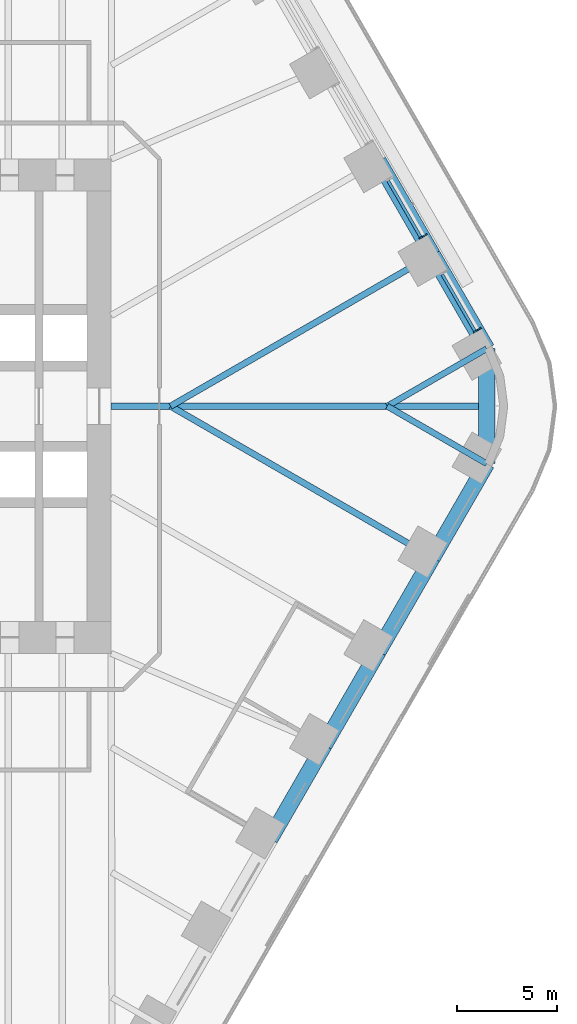
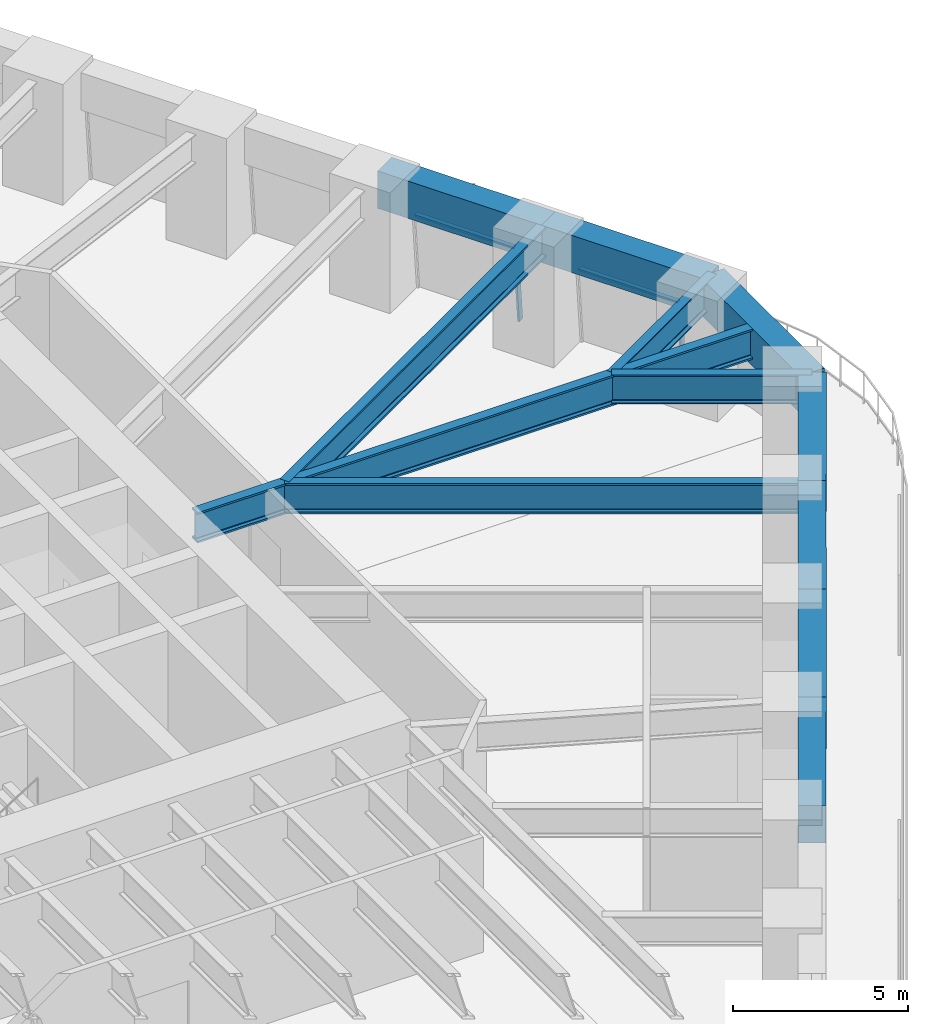
# One storey, part 12 of 23: 12 beams, 4 members, 2 elements without a shape of their own.
"""IFC4 building model written with IfcOpenShell, lengths in metres."""

from ifc_helpers import new_model, si_unit, direction, frame, origin, origin_2d, place, context, subcontext, project, spatial, rectangle, i_section, extrude, material, material_profile, profile_set, type_object, element, aggregate, save


model = new_model("IFC4")

# Units and contexts
model_context = context("Model", 3, precision=1e-05, world=origin(), true_north=direction((0.0, 1.0)))
body_context = subcontext(model_context, "Body", "Model", "MODEL_VIEW")
ifc_project = project(units=[si_unit("LENGTHUNIT", "METRE"), si_unit("AREAUNIT", "SQUARE_METRE"), si_unit("VOLUMEUNIT", "CUBIC_METRE"), si_unit("PLANEANGLEUNIT", "RADIAN"), si_unit("MASSUNIT", "GRAM", prefix="KILO")], contexts=[model_context])

# Site, building, storey
site_placement = place(None, origin())
site = spatial("IfcSite", under=ifc_project, at=site_placement, CompositionType="ELEMENT")
building_placement = place(site_placement, origin())
building = spatial("IfcBuilding", under=site, at=building_placement, Name="Tarfa Lantern Tower", CompositionType="ELEMENT")
storey_placement = place(building_placement, frame((0.0, 0.0, 78.10009765625)))
storey = spatial("IfcBuildingStorey", under=building, at=storey_placement, Name="L17", CompositionType="ELEMENT", Elevation=78.10009765625)

# Curtain wall, member
ifc_material_1 = material(Name="Aluminium framed curtain wall", Category="aluminium")
curtain_wall_type = type_object("IfcCurtainWallType", Name="CW1 CANTED GLAZING LOW ZONE 2700", PredefinedType="USERDEFINED", material=ifc_material_1)
curtain_wall_1_placement = place(storey_placement, origin())
curtain_wall_1 = element("IfcCurtainWall", 1, at=curtain_wall_1_placement, inside=storey, type_object=curtain_wall_type, Name="CW1 NE L17", ObjectType="CURTAIN WALL", PredefinedType="USERDEFINED")
ifc_material_2 = material(Name="Aluminium mullion", Category="aluminium")
ifc_material_profile_1 = material_profile(ifc_material_2, rectangle(XDim=0.06494140625, YDim=0.199951171875, at=origin_2d()), Name="AL MULLION 65x200")
ifc_profile_set_1 = profile_set([ifc_material_profile_1], Name="Aluminium mullion")
member_type_1 = type_object("IfcMemberType", Name="CWM1 MULLION 65x200", PredefinedType="MULLION", material=ifc_profile_set_1)
member_1_placement = place(storey_placement, frame((36.9248046875, 3.84423828125, 0.0), z_axis=(-0.079774955866, -0.04610020023, 0.995746317068), x_axis=(0.500342721131, -0.865827443207, 0.0)))
member_1 = element("IfcMember", 2, at=member_1_placement, type_object=member_type_1, Name="CW1 mullion 1", PredefinedType="MULLION", context=body_context, shape_type="SweptSolid", body=[
    extrude(rectangle(XDim=0.06494140625, YDim=0.199951171875, at=origin_2d()), origin(), (0.0, 0.0, 1.0), 2.71142578125),
])

curtain_wall_2_placement = place(storey_placement, origin())
curtain_wall_2 = element("IfcCurtainWall", 3, at=curtain_wall_2_placement, inside=storey, type_object=curtain_wall_type, Name="CW1 NE L17", ObjectType="CURTAIN WALL", PredefinedType="USERDEFINED")
member_2_placement = place(storey_placement, frame((34.230712890625, 8.5107421875, 0.0), z_axis=(-0.07986442134, -0.046099868913, 0.99573916077), x_axis=(0.499919672301, -0.866071776036, 0.0)))
member_2 = element("IfcMember", 4, at=member_2_placement, type_object=member_type_1, Name="CW1 mullion 1", PredefinedType="MULLION", context=body_context, shape_type="SweptSolid", body=[
    extrude(rectangle(XDim=0.06494140625, YDim=0.199951171875, at=origin_2d()), origin(), (0.0, 0.0, 1.0), 2.71142578125),
])

# Member
ifc_material_3 = material(Name="Aluminium transom", Category="aluminium")
ifc_material_profile_2 = material_profile(ifc_material_3, rectangle(XDim=0.14990234375, YDim=0.06494140625, at=origin_2d()), Name="AL TRANSOM 150x65")
ifc_profile_set_2 = profile_set([ifc_material_profile_2], Name="Aluminium transom")
member_type_2 = type_object("IfcMemberType", Name="CWT1 TRANSOM 150x65", PredefinedType="USERDEFINED", material=ifc_profile_set_2)
member_3_placement = place(storey_placement, frame((36.69482421875, 3.748779296875, 2.66748046875), z_axis=(-0.500022939057, 0.866012159509, 0.0), x_axis=(-0.866012159509, -0.500022939057, 0.0)))
member_3 = element("IfcMember", 5, at=member_3_placement, type_object=member_type_2, Name="CW1 transom 1.2", ObjectType="TRANSOM", PredefinedType="USERDEFINED", context=body_context, shape_type="SweptSolid", body=[
    extrude(rectangle(XDim=0.14990234375, YDim=0.06494140625, at=origin_2d()), origin(), (0.0, 0.0, 1.0), 3.258544921875),
])

aggregate(curtain_wall_1, [member_1, member_3])

member_4_placement = place(storey_placement, frame((34.00048828125, 8.41552734375, 2.66748046875), z_axis=(-0.500022939057, 0.866012159509, 0.0), x_axis=(-0.866012159509, -0.500022939057, 0.0)))
member_4 = element("IfcMember", 6, at=member_4_placement, type_object=member_type_2, Name="CW1 transom 1.2", ObjectType="TRANSOM", PredefinedType="USERDEFINED", context=body_context, shape_type="SweptSolid", body=[
    extrude(rectangle(XDim=0.14990234375, YDim=0.06494140625, at=origin_2d()), origin(), (0.0, 0.0, 1.0), 3.258544921875),
])

aggregate(curtain_wall_2, [member_2, member_4])

# Beams
ifc_material_4 = material(Name="Concrete C80/95", Category="concrete")
ifc_material_profile_3 = material_profile(ifc_material_4, rectangle(XDim=0.800048828125, YDim=1.300048828125, at=origin_2d()), Name="RC 800x1300")
ifc_profile_set_3 = profile_set([ifc_material_profile_3], Name="Concrete C80/95")
beam_type_1 = type_object("IfcBeamType", Name="EB1 RC 800x1300", PredefinedType="SPANDREL", material=ifc_profile_set_3)
beam_1_placement = place(storey_placement, frame((37.285400390625, 2.860107421875, 3.349853515625), z_axis=(-0.500017906299, 0.866015065331, 0.0), x_axis=(-0.866015065331, -0.500017906299, 0.0)))
element("IfcBeam", 7, at=beam_1_placement, inside=storey, type_object=beam_type_1, Name="Edge beam NE0", PredefinedType="SPANDREL", context=body_context, shape_type="SweptSolid", body=[
    extrude(rectangle(XDim=0.800048828125, YDim=1.300048828125, at=origin_2d()), origin(), (0.0, 0.0, 1.0), 5.388427734375),
])
beam_2_placement = place(storey_placement, frame((34.591064453125, 7.526611328125, 3.349853515625), z_axis=(-0.499998287579, 0.866026392449, 0.0), x_axis=(-0.866026392449, -0.499998287579, 0.0)))
element("IfcBeam", 8, at=beam_2_placement, inside=storey, type_object=beam_type_1, Name="Edge beam NE1", PredefinedType="SPANDREL", context=body_context, shape_type="SweptSolid", body=[
    extrude(rectangle(XDim=0.800048828125, YDim=1.300048828125, at=origin_2d()), origin(), (0.0, 0.0, 1.0), 5.388671875),
])
beam_3_placement = place(storey_placement, frame((26.508056640625, -21.526611328125, 3.349853515625), z_axis=(0.500017906299, 0.866015065331, 0.0), x_axis=(-0.866015065331, 0.500017906299, 0.0)))
element("IfcBeam", 9, at=beam_3_placement, inside=storey, type_object=beam_type_1, Name="Edge beam SE2", PredefinedType="SPANDREL", context=body_context, shape_type="SweptSolid", body=[
    extrude(rectangle(XDim=0.800048828125, YDim=1.300048828125, at=origin_2d()), origin(), (0.0, 0.0, 1.0), 5.388427734375),
])
for number, where, z_axis, x_axis, name in (
    (10, (29.202392578125, -16.860107421875, 3.349853515625), (0.499998287579, 0.866026392449, 0.0), (-0.866026392449, 0.499998287579, 0.0), "Edge beam SE3"),
    (11, (31.896728515625, -12.193359375, 3.349853515625), (0.499998287579, 0.866026392449, 0.0), (-0.866026392449, 0.499998287579, 0.0), "Edge beam SE4"),
):
    element("IfcBeam", number, at=place(storey_placement, frame(where, z_axis=z_axis, x_axis=x_axis)), inside=storey, type_object=beam_type_1, Name=name, PredefinedType="SPANDREL", context=body_context, shape_type="SweptSolid", body=[
        extrude(rectangle(XDim=0.800048828125, YDim=1.300048828125, at=origin_2d()), origin(), (0.0, 0.0, 1.0), 5.388671875),
    ])
beam_4_placement = place(storey_placement, frame((34.591064453125, -7.526611328125, 3.349853515625), z_axis=(0.500017906299, 0.866015065331, 0.0), x_axis=(-0.866015065331, 0.500017906299, 0.0)))
element("IfcBeam", 12, at=beam_4_placement, inside=storey, type_object=beam_type_1, Name="Edge beam SE5", PredefinedType="SPANDREL", context=body_context, shape_type="SweptSolid", body=[
    extrude(rectangle(XDim=0.800048828125, YDim=1.300048828125, at=origin_2d()), origin(), (0.0, 0.0, 1.0), 5.388427734375),
])
beam_5_placement = place(storey_placement, frame((37.285400390625, -2.860107421875, 3.349853515625), z_axis=(0.0, 1.0, 0.0), x_axis=(-1.0, 0.0, 0.0)))
element("IfcBeam", 13, at=beam_5_placement, inside=storey, type_object=beam_type_1, Name="Edge beam SE6", PredefinedType="SPANDREL", context=body_context, shape_type="SweptSolid", body=[
    extrude(rectangle(XDim=0.800048828125, YDim=1.300048828125, at=origin_2d()), origin(), (0.0, 0.0, 1.0), 5.72021484375),
])
ifc_material_5 = material(Name="Steel S460M", Category="steel")
ifc_material_profile_4 = material_profile(ifc_material_5, i_section(OverallWidth=0.302001953125, OverallDepth=1.008056640625, WebThickness=0.02099609375, FlangeThickness=0.0400390625, FilletRadius=0.030029296875, at=origin_2d()), Name="UB1016x305x349")
ifc_profile_set_4 = profile_set([ifc_material_profile_4], Name="Steel S460M")
beam_type_2 = type_object("IfcBeamType", Name="UB1016x305x349", PredefinedType="BEAM", material=ifc_profile_set_4)
for number, where, z_axis, x_axis, name in (
    (14, (37.285400390625, 2.860107421875, 3.495849609375), (-0.866025668288, -0.499999541866, 0.0), (0.499999541866, -0.866025668288, 0.0), "Floor beam NE0"),
    (15, (37.285400390625, -2.860107421875, 3.495849609375), (-0.866025668288, 0.499999541866, 0.0), (-0.499999541866, -0.866025668288, 0.0), "Floor beam SE6"),
):
    element("IfcBeam", number, at=place(storey_placement, frame(where, z_axis=z_axis, x_axis=x_axis)), inside=storey, type_object=beam_type_2, Name=name, PredefinedType="BEAM", context=body_context, shape_type="SweptSolid", body=[
        extrude(i_section(OverallWidth=0.302001953125, OverallDepth=1.008056640625, WebThickness=0.02099609375, FlangeThickness=0.0400390625, FilletRadius=0.030029296875, at=origin_2d()), origin(), (0.0, 0.0, 1.0), 5.72021484375),
    ])
ifc_material_profile_5 = material_profile(ifc_material_5, i_section(OverallWidth=0.314208984375, OverallDepth=1.055908203125, WebThickness=0.035888671875, FlangeThickness=0.06396484375, FilletRadius=0.030029296875, at=origin_2d()), Name="UB1016x305x584")
ifc_profile_set_5 = profile_set([ifc_material_profile_5], Name="Steel S460M")
beam_type_3 = type_object("IfcBeamType", Name="UB1016x305x584", PredefinedType="BEAM", material=ifc_profile_set_5)
beam_6_placement = place(storey_placement, frame((18.60009765625, 0.0, 3.471923828125), z_axis=(1.0, 0.0, 0.0), x_axis=(0.0, 1.0, 0.0)))
element("IfcBeam", 16, at=beam_6_placement, inside=storey, type_object=beam_type_3, Name="Hip girder E", PredefinedType="BEAM", context=body_context, shape_type="SweptSolid", body=[
    extrude(i_section(OverallWidth=0.314208984375, OverallDepth=1.055908203125, WebThickness=0.035888671875, FlangeThickness=0.06396484375, FilletRadius=0.030029296875, at=origin_2d()), origin(), (0.0, 0.0, 1.0), 18.685302734375),
])
for number, where, z_axis, x_axis, name in (
    (17, (34.591064453125, 7.526611328125, 3.471923828125), (-0.86602785945, -0.499995746638, 0.0), (0.499995746638, -0.86602785945, 0.0), "Floor beam NE1"),
    (18, (34.591064453125, -7.526611328125, 3.471923828125), (-0.86602785945, 0.499995746638, 0.0), (-0.499995746638, -0.86602785945, 0.0), "Floor beam SE5"),
):
    element("IfcBeam", number, at=place(storey_placement, frame(where, z_axis=z_axis, x_axis=x_axis)), inside=storey, type_object=beam_type_3, Name=name, PredefinedType="BEAM", context=body_context, shape_type="SweptSolid", body=[
        extrude(i_section(OverallWidth=0.314208984375, OverallDepth=1.055908203125, WebThickness=0.035888671875, FlangeThickness=0.06396484375, FilletRadius=0.030029296875, at=origin_2d()), origin(), (0.0, 0.0, 1.0), 15.053466796875),
    ])

save(model, "model.ifc")
